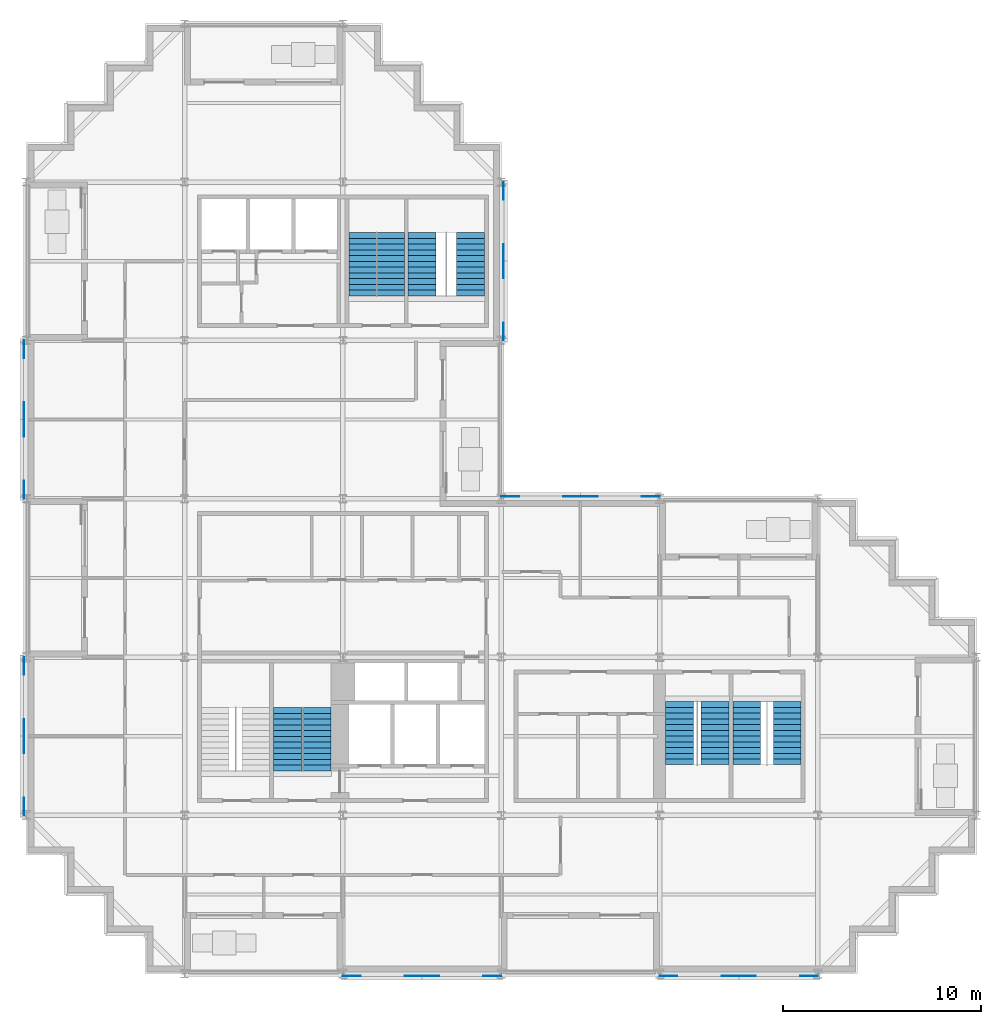
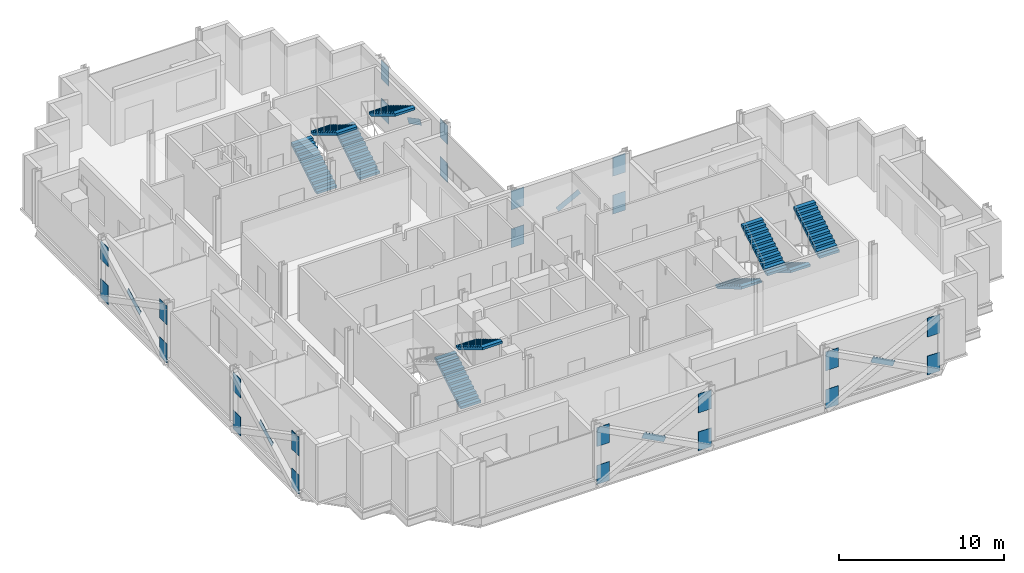
# One storey, part 9 of 12: 30 discrete accessories, 10 stair flights, 5 elements without a shape of their own.
"""IFC4 building model written with IfcOpenShell, lengths in metres."""

from ifc_helpers import new_model, si_unit, direction, frame, origin, origin_2d, place, context, subcontext, project, spatial, polyline, rectangle, outline, extrude, material, material_profile, profile_set, type_object, element, aggregate, save


model = new_model("IFC4")

# Units and contexts
model_context = context("Model", 3, precision=1e-05, world=origin(), true_north=direction((0.0, 1.0)))
body_context = subcontext(model_context, "Body", "Model", "MODEL_VIEW")
ifc_project = project(units=[si_unit("LENGTHUNIT", "METRE"), si_unit("AREAUNIT", "SQUARE_METRE"), si_unit("VOLUMEUNIT", "CUBIC_METRE"), si_unit("PLANEANGLEUNIT", "RADIAN"), si_unit("MASSUNIT", "GRAM", prefix="KILO")], contexts=[model_context])

# Site, building, storey
site_placement = place(None, origin())
site = spatial("IfcSite", under=ifc_project, at=site_placement, CompositionType="ELEMENT")
building_placement = place(site_placement, origin())
building = spatial("IfcBuilding", under=site, at=building_placement, Name="Immortelle Media Tower", CompositionType="ELEMENT")
storey_placement = place(building_placement, frame((0.0, 0.0, 132.60009765625)))
storey = spatial("IfcBuildingStorey", under=building, at=storey_placement, Name="L26", CompositionType="ELEMENT", Elevation=132.60009765625)

# Stair, stair flights
ifc_material_1 = material(Name="Steel ASTM A992 Gr 50", Category="steel")
stair_type = type_object("IfcStairType", Name="Stair with flights", PredefinedType="DOUBLE_RETURN_STAIR", material=ifc_material_1)
stair_1_placement = place(storey_placement, origin())
stair_1 = element("IfcStair", 1, at=stair_1_placement, inside=storey, type_object=stair_type, Name="Exit stair SW2", PredefinedType="DOUBLE_RETURN_STAIR")
stair_flight_type = type_object("IfcStairFlightType", Name="Stair flight 1400", PredefinedType="STRAIGHT", material=ifc_material_1)
stair_flight_1_placement = place(storey_placement, frame((13.199951171875, 10.25, 0.0), z_axis=(0.0, 0.0, 1.0), x_axis=(0.0, 1.0, 0.0)))
stair_flight_1 = element("IfcStairFlight", 2, at=stair_flight_1_placement, type_object=stair_flight_type, Name="ST SW2 flight 1", NumberOfRisers=12, NumberOfTreads=11, PredefinedType="STRAIGHT", RiserHeight=0.175, TreadLength=0.29, context=body_context, shape_type="SweptSolid", body=[
    extrude(outline(polyline([(0.0, 0.0), (0.0, 0.175048828125), (0.2900390625, 0.175048828125), (0.2900390625, 0.35009765625), (0.580078125, 0.35009765625), (0.580078125, 0.52490234375), (0.8701171875, 0.52490234375), (0.8701171875, 0.699951171875), (1.159912109375, 0.699951171875), (1.159912109375, 0.875), (1.449951171875, 0.875), (1.449951171875, 1.050048828125), (1.739990234375, 1.050048828125), (1.739990234375, 1.22509765625), (2.030029296875, 1.22509765625), (2.030029296875, 1.39990234375), (2.320068359375, 1.39990234375), (2.320068359375, 1.574951171875), (2.610107421875, 1.574951171875), (2.610107421875, 1.75), (2.89990234375, 1.75), (2.89990234375, 1.925048828125), (3.18994140625, 1.925048828125), (3.18994140625, 2.10009765625), (3.18994140625, 1.75), (0.2900390625, 0.0), (0.0, 0.0)])), frame((0.0, 0.699951171875, 0.0), z_axis=(0.0, -1.0, 0.0), x_axis=(1.0, 0.0, 0.0)), (0.0, 0.0, 1.0), 1.39990234375),
])
stair_flight_2_placement = place(storey_placement, frame((14.699951171875, 13.43994140625, 2.099853515625), z_axis=(0.0, 0.0, 1.0), x_axis=(0.0, -1.0, 0.0)))
stair_flight_2 = element("IfcStairFlight", 3, at=stair_flight_2_placement, type_object=stair_flight_type, Name="ST SW2 flight 2", NumberOfRisers=12, NumberOfTreads=11, PredefinedType="STRAIGHT", RiserHeight=0.175, TreadLength=0.29, context=body_context, shape_type="SweptSolid", body=[
    extrude(outline(polyline([(0.0, 0.0), (0.0, 0.175048828125), (0.2900390625, 0.175048828125), (0.2900390625, 0.35009765625), (0.580078125, 0.35009765625), (0.580078125, 0.52490234375), (0.8701171875, 0.52490234375), (0.8701171875, 0.699951171875), (1.159912109375, 0.699951171875), (1.159912109375, 0.875), (1.449951171875, 0.875), (1.449951171875, 1.050048828125), (1.739990234375, 1.050048828125), (1.739990234375, 1.22509765625), (2.030029296875, 1.22509765625), (2.030029296875, 1.39990234375), (2.320068359375, 1.39990234375), (2.320068359375, 1.574951171875), (2.610107421875, 1.574951171875), (2.610107421875, 1.75), (2.89990234375, 1.75), (2.89990234375, 1.925048828125), (3.18994140625, 1.925048828125), (3.18994140625, 2.10009765625), (3.18994140625, 1.75), (0.2900390625, 0.0), (0.0, 0.0)])), frame((0.0, 0.699951171875, 0.0), z_axis=(0.0, -1.0, 0.0), x_axis=(1.0, 0.0, 0.0)), (0.0, 0.0, 1.0), 1.39990234375),
])
aggregate(stair_1, [stair_flight_1, stair_flight_2])

stair_2_placement = place(storey_placement, origin())
stair_2 = element("IfcStair", 4, at=stair_2_placement, inside=storey, type_object=stair_type, Name="Exit stair SE1", PredefinedType="DOUBLE_RETURN_STAIR")
stair_flight_3_placement = place(storey_placement, frame((33.0, 13.75, 0.0), z_axis=(0.0, 0.0, 1.0), x_axis=(0.0, -1.0, 0.0)))
stair_flight_3 = element("IfcStairFlight", 5, at=stair_flight_3_placement, type_object=stair_flight_type, Name="ST SE1 flight 1", NumberOfRisers=12, NumberOfTreads=11, PredefinedType="STRAIGHT", RiserHeight=0.175, TreadLength=0.29, context=body_context, shape_type="SweptSolid", body=[
    extrude(outline(polyline([(0.0, 0.0), (0.0, 0.175048828125), (0.2900390625, 0.175048828125), (0.2900390625, 0.35009765625), (0.580078125, 0.35009765625), (0.580078125, 0.52490234375), (0.8701171875, 0.52490234375), (0.8701171875, 0.699951171875), (1.159912109375, 0.699951171875), (1.159912109375, 0.875), (1.449951171875, 0.875), (1.449951171875, 1.050048828125), (1.739990234375, 1.050048828125), (1.739990234375, 1.22509765625), (2.030029296875, 1.22509765625), (2.030029296875, 1.39990234375), (2.320068359375, 1.39990234375), (2.320068359375, 1.574951171875), (2.610107421875, 1.574951171875), (2.610107421875, 1.75), (2.89990234375, 1.75), (2.89990234375, 1.925048828125), (3.18994140625, 1.925048828125), (3.18994140625, 2.10009765625), (3.18994140625, 1.75), (0.2900390625, 0.0), (0.0, 0.0)])), frame((0.0, 0.699951171875, 0.0), z_axis=(0.0, -1.0, 0.0), x_axis=(1.0, 0.0, 0.0)), (0.0, 0.0, 1.0), 1.39990234375),
])
stair_flight_4_placement = place(storey_placement, frame((34.800048828125, 10.56005859375, 2.099853515625), z_axis=(0.0, 0.0, 1.0), x_axis=(0.0, 1.0, 0.0)))
stair_flight_4 = element("IfcStairFlight", 6, at=stair_flight_4_placement, type_object=stair_flight_type, Name="ST SE1 flight 2", NumberOfRisers=12, NumberOfTreads=11, PredefinedType="STRAIGHT", RiserHeight=0.175, TreadLength=0.29, context=body_context, shape_type="SweptSolid", body=[
    extrude(outline(polyline([(0.0, 0.0), (0.0, 0.175048828125), (0.2900390625, 0.175048828125), (0.2900390625, 0.35009765625), (0.580078125, 0.35009765625), (0.580078125, 0.52490234375), (0.8701171875, 0.52490234375), (0.8701171875, 0.699951171875), (1.159912109375, 0.699951171875), (1.159912109375, 0.875), (1.449951171875, 0.875), (1.449951171875, 1.050048828125), (1.739990234375, 1.050048828125), (1.739990234375, 1.22509765625), (2.030029296875, 1.22509765625), (2.030029296875, 1.39990234375), (2.320068359375, 1.39990234375), (2.320068359375, 1.574951171875), (2.610107421875, 1.574951171875), (2.610107421875, 1.75), (2.89990234375, 1.75), (2.89990234375, 1.925048828125), (3.18994140625, 1.925048828125), (3.18994140625, 2.10009765625), (3.18994140625, 1.75), (0.2900390625, 0.0), (0.0, 0.0)])), frame((0.0, 0.699951171875, 0.0), z_axis=(0.0, -1.0, 0.0), x_axis=(1.0, 0.0, 0.0)), (0.0, 0.0, 1.0), 1.39990234375),
])
aggregate(stair_2, [stair_flight_3, stair_flight_4])

stair_3_placement = place(storey_placement, origin())
stair_3 = element("IfcStair", 7, at=stair_3_placement, inside=storey, type_object=stair_type, Name="Exit stair SE2", PredefinedType="DOUBLE_RETURN_STAIR")
stair_flight_5_placement = place(storey_placement, frame((36.39990234375, 13.75, 0.0), z_axis=(0.0, 0.0, 1.0), x_axis=(0.0, -1.0, 0.0)))
stair_flight_5 = element("IfcStairFlight", 8, at=stair_flight_5_placement, type_object=stair_flight_type, Name="ST SE2 flight 1", NumberOfRisers=12, NumberOfTreads=11, PredefinedType="STRAIGHT", RiserHeight=0.175, TreadLength=0.29, context=body_context, shape_type="SweptSolid", body=[
    extrude(outline(polyline([(0.0, 0.0), (0.0, 0.175048828125), (0.2900390625, 0.175048828125), (0.2900390625, 0.35009765625), (0.580078125, 0.35009765625), (0.580078125, 0.52490234375), (0.8701171875, 0.52490234375), (0.8701171875, 0.699951171875), (1.159912109375, 0.699951171875), (1.159912109375, 0.875), (1.449951171875, 0.875), (1.449951171875, 1.050048828125), (1.739990234375, 1.050048828125), (1.739990234375, 1.22509765625), (2.030029296875, 1.22509765625), (2.030029296875, 1.39990234375), (2.320068359375, 1.39990234375), (2.320068359375, 1.574951171875), (2.610107421875, 1.574951171875), (2.610107421875, 1.75), (2.89990234375, 1.75), (2.89990234375, 1.925048828125), (3.18994140625, 1.925048828125), (3.18994140625, 2.10009765625), (3.18994140625, 1.75), (0.2900390625, 0.0), (0.0, 0.0)])), frame((0.0, 0.699951171875, 0.0), z_axis=(0.0, -1.0, 0.0), x_axis=(1.0, 0.0, 0.0)), (0.0, 0.0, 1.0), 1.39990234375),
])
stair_flight_6_placement = place(storey_placement, frame((38.449951171875, 10.56005859375, 2.099853515625), z_axis=(0.0, 0.0, 1.0), x_axis=(0.0, 1.0, 0.0)))
stair_flight_6 = element("IfcStairFlight", 9, at=stair_flight_6_placement, type_object=stair_flight_type, Name="ST SE2 flight 2", NumberOfRisers=12, NumberOfTreads=11, PredefinedType="STRAIGHT", RiserHeight=0.175, TreadLength=0.29, context=body_context, shape_type="SweptSolid", body=[
    extrude(outline(polyline([(0.0, 0.0), (0.0, 0.175048828125), (0.2900390625, 0.175048828125), (0.2900390625, 0.35009765625), (0.580078125, 0.35009765625), (0.580078125, 0.52490234375), (0.8701171875, 0.52490234375), (0.8701171875, 0.699951171875), (1.159912109375, 0.699951171875), (1.159912109375, 0.875), (1.449951171875, 0.875), (1.449951171875, 1.050048828125), (1.739990234375, 1.050048828125), (1.739990234375, 1.22509765625), (2.030029296875, 1.22509765625), (2.030029296875, 1.39990234375), (2.320068359375, 1.39990234375), (2.320068359375, 1.574951171875), (2.610107421875, 1.574951171875), (2.610107421875, 1.75), (2.89990234375, 1.75), (2.89990234375, 1.925048828125), (3.18994140625, 1.925048828125), (3.18994140625, 2.10009765625), (3.18994140625, 1.75), (0.2900390625, 0.0), (0.0, 0.0)])), frame((0.0, 0.699951171875, 0.0), z_axis=(0.0, -1.0, 0.0), x_axis=(1.0, 0.0, 0.0)), (0.0, 0.0, 1.0), 1.39990234375),
])
aggregate(stair_3, [stair_flight_5, stair_flight_6])

stair_4_placement = place(storey_placement, origin())
stair_4 = element("IfcStair", 10, at=stair_4_placement, inside=storey, type_object=stair_type, Name="Exit stair NW1", PredefinedType="DOUBLE_RETURN_STAIR")
stair_flight_7_placement = place(storey_placement, frame((17.0, 34.25, 0.0), z_axis=(0.0, 0.0, 1.0), x_axis=(0.0, 1.0, 0.0)))
stair_flight_7 = element("IfcStairFlight", 11, at=stair_flight_7_placement, type_object=stair_flight_type, Name="ST NW1 flight 1", NumberOfRisers=12, NumberOfTreads=11, PredefinedType="STRAIGHT", RiserHeight=0.175, TreadLength=0.29, context=body_context, shape_type="SweptSolid", body=[
    extrude(outline(polyline([(0.0, 0.0), (0.0, 0.175048828125), (0.2900390625, 0.175048828125), (0.2900390625, 0.35009765625), (0.580078125, 0.35009765625), (0.580078125, 0.52490234375), (0.8701171875, 0.52490234375), (0.8701171875, 0.699951171875), (1.159912109375, 0.699951171875), (1.159912109375, 0.875), (1.449951171875, 0.875), (1.449951171875, 1.050048828125), (1.739990234375, 1.050048828125), (1.739990234375, 1.22509765625), (2.030029296875, 1.22509765625), (2.030029296875, 1.39990234375), (2.320068359375, 1.39990234375), (2.320068359375, 1.574951171875), (2.610107421875, 1.574951171875), (2.610107421875, 1.75), (2.89990234375, 1.75), (2.89990234375, 1.925048828125), (3.18994140625, 1.925048828125), (3.18994140625, 2.10009765625), (3.18994140625, 1.75), (0.2900390625, 0.0), (0.0, 0.0)])), frame((0.0, 0.699951171875, 0.0), z_axis=(0.0, -1.0, 0.0), x_axis=(1.0, 0.0, 0.0)), (0.0, 0.0, 1.0), 1.39990234375),
])
stair_flight_8_placement = place(storey_placement, frame((18.39990234375, 37.43994140625, 2.099853515625), z_axis=(0.0, 0.0, 1.0), x_axis=(0.0, -1.0, 0.0)))
stair_flight_8 = element("IfcStairFlight", 12, at=stair_flight_8_placement, type_object=stair_flight_type, Name="ST NW1 flight 2", NumberOfRisers=12, NumberOfTreads=11, PredefinedType="STRAIGHT", RiserHeight=0.175, TreadLength=0.29, context=body_context, shape_type="SweptSolid", body=[
    extrude(outline(polyline([(0.0, 0.0), (0.0, 0.175048828125), (0.2900390625, 0.175048828125), (0.2900390625, 0.35009765625), (0.580078125, 0.35009765625), (0.580078125, 0.52490234375), (0.8701171875, 0.52490234375), (0.8701171875, 0.699951171875), (1.159912109375, 0.699951171875), (1.159912109375, 0.875), (1.449951171875, 0.875), (1.449951171875, 1.050048828125), (1.739990234375, 1.050048828125), (1.739990234375, 1.22509765625), (2.030029296875, 1.22509765625), (2.030029296875, 1.39990234375), (2.320068359375, 1.39990234375), (2.320068359375, 1.574951171875), (2.610107421875, 1.574951171875), (2.610107421875, 1.75), (2.89990234375, 1.75), (2.89990234375, 1.925048828125), (3.18994140625, 1.925048828125), (3.18994140625, 2.10009765625), (3.18994140625, 1.75), (0.2900390625, 0.0), (0.0, 0.0)])), frame((0.0, 0.699951171875, 0.0), z_axis=(0.0, -1.0, 0.0), x_axis=(1.0, 0.0, 0.0)), (0.0, 0.0, 1.0), 1.39990234375),
])
aggregate(stair_4, [stair_flight_7, stair_flight_8])

stair_5_placement = place(storey_placement, origin())
stair_5 = element("IfcStair", 13, at=stair_5_placement, inside=storey, type_object=stair_type, Name="Exit stair NW2", PredefinedType="DOUBLE_RETURN_STAIR")
stair_flight_9_placement = place(storey_placement, frame((20.0, 34.25, 0.0), z_axis=(0.0, 0.0, 1.0), x_axis=(0.0, 1.0, 0.0)))
stair_flight_9 = element("IfcStairFlight", 14, at=stair_flight_9_placement, type_object=stair_flight_type, Name="ST NW2 flight 1", NumberOfRisers=12, NumberOfTreads=11, PredefinedType="STRAIGHT", RiserHeight=0.175, TreadLength=0.29, context=body_context, shape_type="SweptSolid", body=[
    extrude(outline(polyline([(0.0, 0.0), (0.0, 0.175048828125), (0.2900390625, 0.175048828125), (0.2900390625, 0.35009765625), (0.580078125, 0.35009765625), (0.580078125, 0.52490234375), (0.8701171875, 0.52490234375), (0.8701171875, 0.699951171875), (1.159912109375, 0.699951171875), (1.159912109375, 0.875), (1.449951171875, 0.875), (1.449951171875, 1.050048828125), (1.739990234375, 1.050048828125), (1.739990234375, 1.22509765625), (2.030029296875, 1.22509765625), (2.030029296875, 1.39990234375), (2.320068359375, 1.39990234375), (2.320068359375, 1.574951171875), (2.610107421875, 1.574951171875), (2.610107421875, 1.75), (2.89990234375, 1.75), (2.89990234375, 1.925048828125), (3.18994140625, 1.925048828125), (3.18994140625, 2.10009765625), (3.18994140625, 1.75), (0.2900390625, 0.0), (0.0, 0.0)])), frame((0.0, 0.699951171875, 0.0), z_axis=(0.0, -1.0, 0.0), x_axis=(1.0, 0.0, 0.0)), (0.0, 0.0, 1.0), 1.39990234375),
])
stair_flight_10_placement = place(storey_placement, frame((22.449951171875, 37.43994140625, 2.099853515625), z_axis=(0.0, 0.0, 1.0), x_axis=(0.0, -1.0, 0.0)))
stair_flight_10 = element("IfcStairFlight", 15, at=stair_flight_10_placement, type_object=stair_flight_type, Name="ST NW2 flight 2", NumberOfRisers=12, NumberOfTreads=11, PredefinedType="STRAIGHT", RiserHeight=0.175, TreadLength=0.29, context=body_context, shape_type="SweptSolid", body=[
    extrude(outline(polyline([(0.0, 0.0), (0.0, 0.175048828125), (0.2900390625, 0.175048828125), (0.2900390625, 0.35009765625), (0.580078125, 0.35009765625), (0.580078125, 0.52490234375), (0.8701171875, 0.52490234375), (0.8701171875, 0.699951171875), (1.159912109375, 0.699951171875), (1.159912109375, 0.875), (1.449951171875, 0.875), (1.449951171875, 1.050048828125), (1.739990234375, 1.050048828125), (1.739990234375, 1.22509765625), (2.030029296875, 1.22509765625), (2.030029296875, 1.39990234375), (2.320068359375, 1.39990234375), (2.320068359375, 1.574951171875), (2.610107421875, 1.574951171875), (2.610107421875, 1.75), (2.89990234375, 1.75), (2.89990234375, 1.925048828125), (3.18994140625, 1.925048828125), (3.18994140625, 2.10009765625), (3.18994140625, 1.75), (0.2900390625, 0.0), (0.0, 0.0)])), frame((0.0, 0.699951171875, 0.0), z_axis=(0.0, -1.0, 0.0), x_axis=(1.0, 0.0, 0.0)), (0.0, 0.0, 1.0), 1.39990234375),
])
aggregate(stair_5, [stair_flight_9, stair_flight_10])

# Discrete accessories
ifc_material_2 = material(Name="Steel ASTM A572 Gr 50", Category="steel")
ifc_material_profile_1 = material_profile(ifc_material_2, rectangle(XDim=0.02392578125, YDim=0.406005859375, at=origin_2d()), Name="PL 24 x 406")
ifc_profile_set_1 = profile_set([ifc_material_profile_1], Name="Steel ASTM A572 Gr 50")
discrete_accessory_type_1 = type_object("IfcDiscreteAccessoryType", Name="Crossing plate XP-BR4 1750 x 406 x 24", PredefinedType="USERDEFINED", material=ifc_profile_set_1)
for number, where, z_axis, x_axis, name in (
    (16, (28.774658203125, 24.113037109375, 2.01025390625), (-0.885377804934, 0.0, -0.464872178701), (0.0, -1.0, 0.0), "Crossing plate XP-BR4 of Brace D/4-5 A and Brace D/4-5 B"),
    (17, (24.113037109375, 35.225341796875, 2.01025390625), (0.0, 0.885377804934, -0.464872178701), (-1.0, 0.0, 0.0), "Crossing plate XP-BR4 of Brace 4/E-F A and Brace 4/E-F B"),
    (18, (-0.113037109375, 28.774658203125, 2.01025390625), (0.0, -0.885377804934, -0.464872178701), (1.0, 0.0, 0.0), "Crossing plate XP-BR4 of Brace 1/D-E A and Brace 1/D-E B"),
    (19, (-0.113037109375, 12.774658203125, 2.01025390625), (0.0, -0.885377804934, -0.464872178701), (1.0, 0.0, 0.0), "Crossing plate XP-BR4 of Brace 1/B-C A and Brace 1/B-C B"),
    (20, (19.225341796875, -0.113037109375, 2.01025390625), (0.885377804934, 0.0, -0.464872178701), (0.0, 1.0, 0.0), "Crossing plate XP-BR4 of Brace A/3-4 A and Brace A/3-4 B"),
    (21, (35.225341796875, -0.113037109375, 2.01025390625), (0.885377804934, 0.0, -0.464872178701), (0.0, 1.0, 0.0), "Crossing plate XP-BR4 of Brace A/5-6 A and Brace A/5-6 B"),
):
    element("IfcDiscreteAccessory", number, at=place(storey_placement, frame(where, z_axis=z_axis, x_axis=x_axis)), inside=storey, type_object=discrete_accessory_type_1, Name=name, ObjectType="CROSSING PLATE", PredefinedType="USERDEFINED", context=body_context, shape_type="SweptSolid", body=[
        extrude(rectangle(XDim=0.02392578125, YDim=0.406005859375, at=origin_2d()), origin(), (0.0, 0.0, 1.0), 1.75),
    ])
ifc_material_profile_2 = material_profile(ifc_material_2, rectangle(XDim=0.031982421875, YDim=1.39990234375, at=origin_2d()), Name="PL 32 x 1400")
ifc_profile_set_2 = profile_set([ifc_material_profile_2], Name="Steel ASTM A572 Gr 50")
discrete_accessory_type_2 = type_object("IfcDiscreteAccessoryType", Name="Gusset plate GP1 900 x 1400 x 32", PredefinedType="USERDEFINED", material=ifc_profile_set_2)
for number, where, z_axis, x_axis, name in (
    (22, (16.0, -0.113037109375, 0.203369140625), (1.0, 0.0, 0.0), (0.0, 1.0, 0.0), "Gusset plate GP1, lower end of Brace A/3-4 A"),
    (23, (24.0, -0.113037109375, 3.00341796875), (-1.0, 0.0, 0.0), (0.0, -1.0, 0.0), "Gusset plate GP1, upper end of Brace A/3-4 A"),
    (24, (24.0, -0.113037109375, 0.203369140625), (-1.0, 0.0, 0.0), (0.0, -1.0, 0.0), "Gusset plate GP1, lower end of Brace A/3-4 B"),
    (25, (16.0, -0.113037109375, 3.00341796875), (1.0, 0.0, 0.0), (0.0, 1.0, 0.0), "Gusset plate GP1, upper end of Brace A/3-4 B"),
    (26, (32.0, -0.113037109375, 0.203369140625), (1.0, 0.0, 0.0), (0.0, 1.0, 0.0), "Gusset plate GP1, lower end of Brace A/5-6 A"),
    (27, (40.0, -0.113037109375, 3.00341796875), (-1.0, 0.0, 0.0), (0.0, -1.0, 0.0), "Gusset plate GP1, upper end of Brace A/5-6 A"),
    (28, (40.0, -0.113037109375, 0.203369140625), (-1.0, 0.0, 0.0), (0.0, -1.0, 0.0), "Gusset plate GP1, lower end of Brace A/5-6 B"),
    (29, (32.0, -0.113037109375, 3.00341796875), (1.0, 0.0, 0.0), (0.0, 1.0, 0.0), "Gusset plate GP1, upper end of Brace A/5-6 B"),
    (30, (32.0, 24.113037109375, 0.203369140625), (-1.0, 0.0, 0.0), (0.0, -1.0, 0.0), "Gusset plate GP1, lower end of Brace D/4-5 A"),
    (31, (24.0, 24.113037109375, 3.00341796875), (1.0, 0.0, 0.0), (0.0, 1.0, 0.0), "Gusset plate GP1, upper end of Brace D/4-5 A"),
    (32, (24.0, 24.113037109375, 0.203369140625), (1.0, 0.0, 0.0), (0.0, 1.0, 0.0), "Gusset plate GP1, lower end of Brace D/4-5 B"),
    (33, (32.0, 24.113037109375, 3.00341796875), (-1.0, 0.0, 0.0), (0.0, -1.0, 0.0), "Gusset plate GP1, upper end of Brace D/4-5 B"),
    (34, (24.113037109375, 32.0, 0.203369140625), (0.0, 1.0, 0.0), (-1.0, 0.0, 0.0), "Gusset plate GP1, lower end of Brace 4/E-F A"),
    (35, (24.113037109375, 40.0, 3.00341796875), (0.0, -1.0, 0.0), (1.0, 0.0, 0.0), "Gusset plate GP1, upper end of Brace 4/E-F A"),
    (36, (24.113037109375, 40.0, 0.203369140625), (0.0, -1.0, 0.0), (1.0, 0.0, 0.0), "Gusset plate GP1, lower end of Brace 4/E-F B"),
    (37, (24.113037109375, 32.0, 3.00341796875), (0.0, 1.0, 0.0), (-1.0, 0.0, 0.0), "Gusset plate GP1, upper end of Brace 4/E-F B"),
    (38, (-0.113037109375, 32.0, 0.203369140625), (0.0, -1.0, 0.0), (1.0, 0.0, 0.0), "Gusset plate GP1, lower end of Brace 1/D-E A"),
    (39, (-0.113037109375, 24.0, 3.00341796875), (0.0, 1.0, 0.0), (-1.0, 0.0, 0.0), "Gusset plate GP1, upper end of Brace 1/D-E A"),
    (40, (-0.113037109375, 24.0, 0.203369140625), (0.0, 1.0, 0.0), (-1.0, 0.0, 0.0), "Gusset plate GP1, lower end of Brace 1/D-E B"),
    (41, (-0.113037109375, 32.0, 3.00341796875), (0.0, -1.0, 0.0), (1.0, 0.0, 0.0), "Gusset plate GP1, upper end of Brace 1/D-E B"),
    (42, (-0.113037109375, 16.0, 0.203369140625), (0.0, -1.0, 0.0), (1.0, 0.0, 0.0), "Gusset plate GP1, lower end of Brace 1/B-C A"),
    (43, (-0.113037109375, 8.0, 3.00341796875), (0.0, 1.0, 0.0), (-1.0, 0.0, 0.0), "Gusset plate GP1, upper end of Brace 1/B-C A"),
    (44, (-0.113037109375, 8.0, 0.203369140625), (0.0, 1.0, 0.0), (-1.0, 0.0, 0.0), "Gusset plate GP1, lower end of Brace 1/B-C B"),
    (45, (-0.113037109375, 16.0, 3.00341796875), (0.0, -1.0, 0.0), (1.0, 0.0, 0.0), "Gusset plate GP1, upper end of Brace 1/B-C B"),
):
    element("IfcDiscreteAccessory", number, at=place(storey_placement, frame(where, z_axis=z_axis, x_axis=x_axis)), inside=storey, type_object=discrete_accessory_type_2, Name=name, ObjectType="GUSSET PLATE", PredefinedType="USERDEFINED", context=body_context, shape_type="SweptSolid", body=[
        extrude(rectangle(XDim=0.031982421875, YDim=1.39990234375, at=origin_2d()), origin(), (0.0, 0.0, 1.0), 0.89990234375),
    ])

save(model, "model.ifc")
